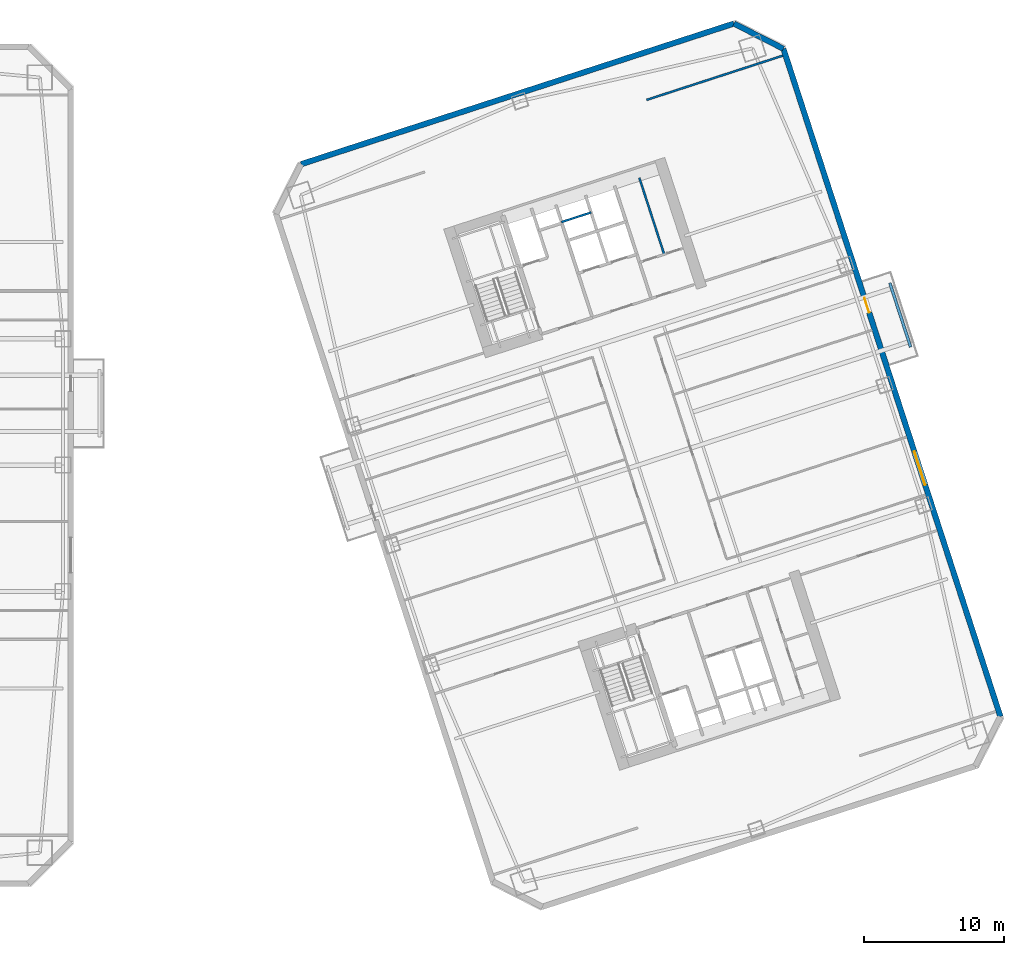
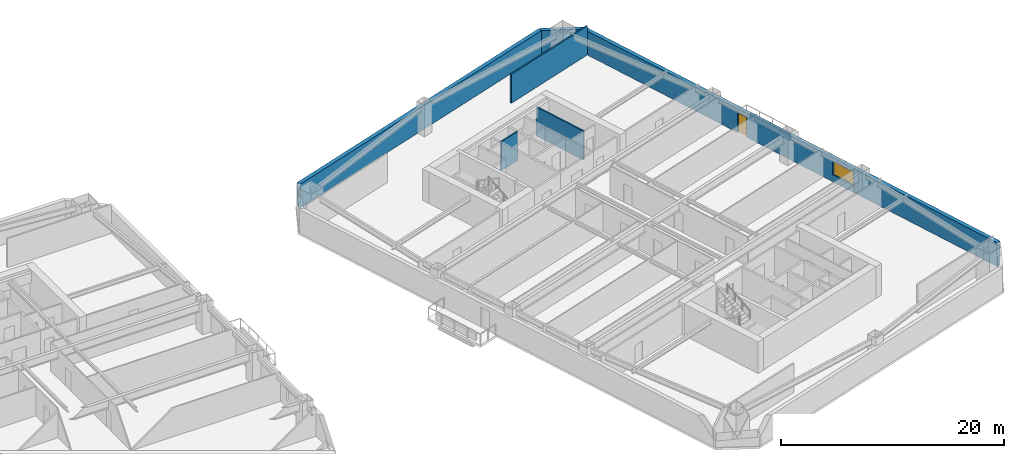
# One storey, part 9 of 15: 7 walls, 1 door, 1 window, 2 openings.
"""IFC4 building model written with IfcOpenShell, lengths in metres."""

from ifc_helpers import new_model, si_unit, direction, frame, frame_2d, origin, place, context, subcontext, project, spatial, rectangle, extrude, material, layer, layer_set, type_object, element, fill, save


model = new_model("IFC4")

# Units and contexts
model_context = context("Model", 3, precision=1e-05, world=origin(), true_north=direction((0.0, 1.0)))
body_context = subcontext(model_context, "Body", "Model", "MODEL_VIEW")
ifc_project = project(units=[si_unit("LENGTHUNIT", "METRE"), si_unit("AREAUNIT", "SQUARE_METRE"), si_unit("VOLUMEUNIT", "CUBIC_METRE"), si_unit("PLANEANGLEUNIT", "RADIAN"), si_unit("MASSUNIT", "GRAM", prefix="KILO")], contexts=[model_context])

# Site, building, storey
site_placement = place(None, origin())
site = spatial("IfcSite", under=ifc_project, at=site_placement, CompositionType="ELEMENT")
building_placement = place(site_placement, origin())
building = spatial("IfcBuilding", under=site, at=building_placement, Name="Qiaolan Cultural Towers", CompositionType="ELEMENT")
storey_placement = place(building_placement, frame((0.0, 0.0, 50.60009765625)))
storey = spatial("IfcBuildingStorey", under=building, at=storey_placement, Name="L11", CompositionType="ELEMENT", Elevation=50.60009765625)

# Walls
ifc_material_1 = material(Name="Precast Concrete C50 Honed Stone Pier", Category="masonry")
ifc_layer_1 = layer(ifc_material_1, 0.39990234375)
ifc_layer_set_1 = layer_set([ifc_layer_1], Name="Precast Concrete C50 Honed Stone Pier")
wall_type_1 = type_object("IfcWallType", Name="WL-EXT-PIER-400", PredefinedType="SOLIDWALL", material=ifc_layer_set_1)
wall_1_placement = place(storey_placement, frame((66.002197265625, 55.433349609375, 0.0), z_axis=(0.0, 0.0, 1.0), x_axis=(0.951055939317, 0.309018770125, 0.0)))
element("IfcWall", 1, at=wall_1_placement, inside=storey, type_object=wall_type_1, Name="L11 East Tower Precast Pier Facade Wall F3", PredefinedType="SOLIDWALL", context=body_context, shape_type="SweptSolid", body=[
    extrude(rectangle(XDim=32.39990234375, YDim=0.39990234375, at=frame_2d((16.199951171875, 0.0))), origin(), (0.0, 0.0, 1.0), 2.60986328125),
])
wall_2_placement = place(storey_placement, frame((96.81640625, 65.445556640625, 0.0), z_axis=(0.0, 0.0, 1.0), x_axis=(0.890998089617, -0.454007053137, 0.0)))
element("IfcWall", 2, at=wall_2_placement, inside=storey, type_object=wall_type_1, Name="L11 East Tower Precast Pier Facade Wall F4", PredefinedType="SOLIDWALL", context=body_context, shape_type="SweptSolid", body=[
    extrude(rectangle(XDim=3.9599609375, YDim=0.39990234375, at=frame_2d((1.97998046875, 0.0))), origin(), (0.0, 0.0, 1.0), 2.60986328125),
])

# Wall, openings, door, window
wall_3_placement = place(storey_placement, frame((100.3447265625, 63.647705078125, 0.0), z_axis=(0.0, 0.0, 1.0), x_axis=(0.309014526607, -0.951057318118, 0.0)))
wall_3 = element("IfcWall", 3, at=wall_3_placement, inside=storey, type_object=wall_type_1, Name="L11 East Tower Precast Pier Facade Wall F5", PredefinedType="SOLIDWALL", context=body_context, shape_type="SweptSolid", body=[
    extrude(rectangle(XDim=49.999755859375, YDim=0.39990234375, at=frame_2d((25.0, 0.0))), origin(), (0.0, 0.0, 1.0), 2.60986328125),
])
opening_1_placement = place(wall_3_placement, frame((30.14990234375, 0.0, 0.75)))
opening_1 = element("IfcOpeningElement", 4, at=opening_1_placement, cuts=wall_3, Name="Opening W-01", PredefinedType="OPENING", context=body_context, shape_type="SweptSolid", body=[
    extrude(rectangle(XDim=2.5, YDim=1.4599609375, at=frame_2d((1.25, 0.72998046875))), frame((0.0, 0.2099609375, 0.0), z_axis=(0.0, -1.0, 0.0), x_axis=(1.0, 0.0, 0.0)), (0.0, 0.0, 1.0), 0.419921875),
])
opening_2_placement = place(wall_3_placement, frame((18.64990234375, 0.0, 0.0)))
opening_2 = element("IfcOpeningElement", 5, at=opening_2_placement, cuts=wall_3, Name="Opening BD-01", PredefinedType="OPENING", context=body_context, shape_type="SweptSolid", body=[
    extrude(rectangle(XDim=1.10009765625, YDim=2.14990234375, at=frame_2d((0.550048828125, 1.074951171875))), frame((0.0, 0.2099609375, 0.0), z_axis=(0.0, -1.0, 0.0), x_axis=(1.0, 0.0, 0.0)), (0.0, 0.0, 1.0), 0.419921875),
])
ifc_material_2 = material(Name="Thermally Broken Aluminium Glazed Terrace Door", Category="aluminium")
door_type = type_object("IfcDoorType", Name="DR-BAL-1100", OperationType="NOTDEFINED", PredefinedType="DOOR", material=ifc_material_2)
door_placement = place(opening_2_placement, origin())
door = element("IfcDoor", 6, at=door_placement, inside=storey, type_object=door_type, Name="L11 T2 East Tree Balcony Door", OperationType="SINGLE_SWING_RIGHT", OverallHeight=2.14990234375, OverallWidth=1.10009765625, PredefinedType="DOOR", context=body_context, shape_type="SweptSolid", body=[
    extrude(rectangle(XDim=1.10009765625, YDim=2.14990234375, at=frame_2d((0.550048828125, 1.074951171875))), frame((0.0, 0.02490234375, 0.0), z_axis=(0.0, -1.0, 0.0), x_axis=(1.0, 0.0, 0.0)), (0.0, 0.0, 1.0), 0.050048828125),
])
fill(opening_2, door)
ifc_material_3 = material(Name="Thermally Broken Aluminium Triple Low-E Glazing", Category="aluminium")
window_type = type_object("IfcWindowType", Name="WN-CHIC-2500", PartitioningType="SINGLE_PANEL", PredefinedType="WINDOW", material=ifc_material_3)
window_placement = place(opening_1_placement, origin())
window = element("IfcWindow", 7, at=window_placement, inside=storey, type_object=window_type, Name="L11 T2 E Chicago Bay Window 1", OverallHeight=1.4599609375, OverallWidth=2.5, PartitioningType="TRIPLE_PANEL_VERTICAL", PredefinedType="WINDOW", context=body_context, shape_type="SweptSolid", body=[
    extrude(rectangle(XDim=2.5, YDim=1.4599609375, at=frame_2d((1.25, 0.72998046875))), frame((0.0, 0.030029296875, 0.0), z_axis=(0.0, -1.0, 0.0), x_axis=(1.0, 0.0, 0.0)), (0.0, 0.0, 1.0), 0.06005859375),
])
fill(opening_1, window)

# Walls
ifc_material_4 = material(Name="Autoclaved Aerated Concrete Block B06", Category="concrete")
ifc_layer_2 = layer(ifc_material_4, 0.14990234375)
ifc_layer_set_2 = layer_set([ifc_layer_2], Name="Autoclaved Aerated Concrete Block B06")
wall_type_2 = type_object("IfcWallType", Name="WL-PART-150", PredefinedType="PARTITIONING", material=ifc_layer_set_2)
wall_4_placement = place(storey_placement, frame((84.533935546875, 51.30810546875, 0.0), z_axis=(0.0, 0.0, 1.0), x_axis=(0.951075093106, 0.308959814982, 0.0)))
element("IfcWall", 8, at=wall_4_placement, inside=storey, type_object=wall_type_2, Name="L11 T2-CN Core Rear Riser Split", PredefinedType="PARTITIONING", context=body_context, shape_type="SweptSolid", body=[
    extrude(rectangle(XDim=2.22998046875, YDim=0.14990234375, at=frame_2d((1.114990234375, 0.0))), origin(), (0.0, 0.0, 1.0), 3.1748046875),
])
wall_5_placement = place(storey_placement, frame((91.853271484375, 49.007080078125, 0.0), z_axis=(0.0, 0.0, 1.0), x_axis=(-0.309022487551, 0.951054731437, 0.0)))
element("IfcWall", 9, at=wall_5_placement, inside=storey, type_object=wall_type_2, Name="L11 T2-CN Restroom Divider Wall", PredefinedType="PARTITIONING", context=body_context, shape_type="SweptSolid", body=[
    extrude(rectangle(XDim=5.730224609375, YDim=0.14990234375, at=frame_2d((2.865234375, 0.0))), origin(), (0.0, 0.0, 1.0), 3.1748046875),
])
wall_6_placement = place(storey_placement, frame((90.5927734375, 60.006103515625, 0.0), z_axis=(0.0, 0.0, 1.0), x_axis=(0.951059043131, 0.309009217467, 0.0)))
element("IfcWall", 10, at=wall_6_placement, inside=storey, type_object=wall_type_2, Name="L11 T2 Flank Wall FLK-NE", PredefinedType="PARTITIONING", context=body_context, shape_type="SweptSolid", body=[
    extrude(rectangle(XDim=10.199951171875, YDim=0.14990234375, at=frame_2d((5.10009765625, 0.0))), origin(), (0.0, 0.0, 1.0), 3.1748046875),
])
ifc_material_5 = material(Name="Precast Concrete C45 Tree Planter Upstand", Category="concrete")
ifc_layer_3 = layer(ifc_material_5, 0.199951171875)
ifc_layer_set_3 = layer_set([ifc_layer_3], Name="Precast Concrete C45 Tree Planter Upstand")
wall_type_3 = type_object("IfcWallType", Name="WL-PLANTER-200", PredefinedType="PARAPET", material=ifc_layer_set_3)
wall_7_placement = place(storey_placement, frame((109.401611328125, 42.406982421875, 0.0), z_axis=(0.0, 0.0, 1.0), x_axis=(-0.30900096172, 0.951061725471, 0.0)))
element("IfcWall", 11, at=wall_7_placement, inside=storey, type_object=wall_type_3, Name="L11 T2 Tree Balcony Soil Planter Box E", PredefinedType="PARAPET", context=body_context, shape_type="SweptSolid", body=[
    extrude(rectangle(XDim=4.7998046875, YDim=0.199951171875, at=frame_2d((2.39990234375, 0.0))), origin(), (0.0, 0.0, 1.0), 0.75),
])

save(model, "model.ifc")
